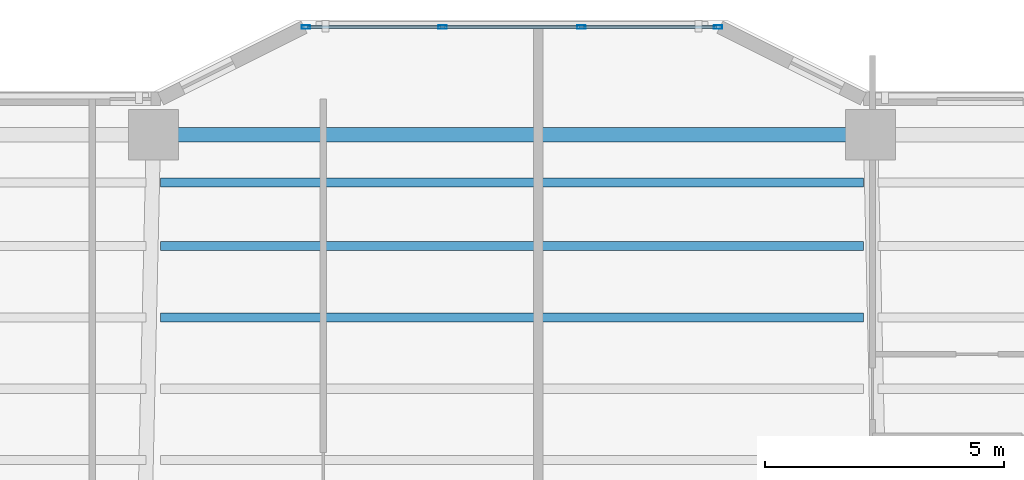
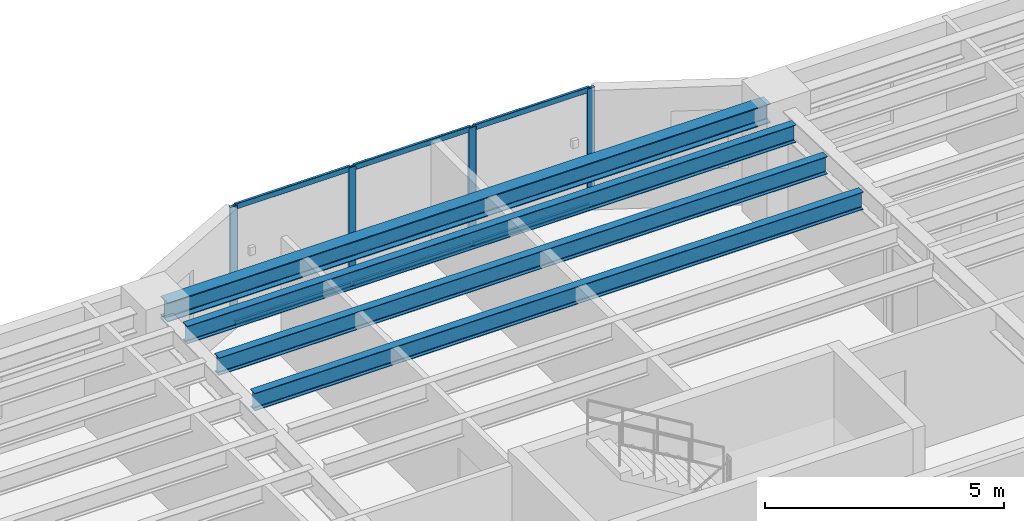
# One storey, part 4 of 18: 10 members, 4 beams, 1 element without a shape of its own.
"""IFC4 building model written with IfcOpenShell, lengths in metres."""

from ifc_helpers import new_model, si_unit, direction, frame, origin, origin_2d, place, context, subcontext, project, spatial, hollow_rectangle, i_section, extrude, material, layer, layer_set, material_profile, profile_set, type_object, element, aggregate, save


model = new_model("IFC4")

# Units and contexts
model_context = context("Model", 3, precision=1e-05, world=origin(), true_north=direction((0.0, 1.0)))
body_context = subcontext(model_context, "Body", "Model", "MODEL_VIEW")
ifc_project = project(units=[si_unit("LENGTHUNIT", "METRE"), si_unit("AREAUNIT", "SQUARE_METRE"), si_unit("VOLUMEUNIT", "CUBIC_METRE"), si_unit("PLANEANGLEUNIT", "RADIAN"), si_unit("MASSUNIT", "GRAM", prefix="KILO")], contexts=[model_context])

# Site, building, storey
site_placement = place(None, origin())
site = spatial("IfcSite", under=ifc_project, at=site_placement, CompositionType="ELEMENT")
building_placement = place(site_placement, origin())
building = spatial("IfcBuilding", under=site, at=building_placement, Name="Tarnavaz Court Tower", CompositionType="ELEMENT")
storey_placement = place(building_placement, frame((0.0, 0.0, 115.14990234375)))
storey = spatial("IfcBuildingStorey", under=building, at=storey_placement, Name="L31", CompositionType="ELEMENT", Elevation=115.14990234375)

# Beams
ifc_material_1 = material(Name="Steel S355", Category="steel")
ifc_material_profile_1 = material_profile(ifc_material_1, i_section(OverallWidth=0.18994140625, OverallDepth=0.449951171875, WebThickness=0.009521484375, FlangeThickness=0.0146484375, FilletRadius=0.02099609375, at=origin_2d()), Name="IPE 450")
ifc_profile_set_1 = profile_set([ifc_material_profile_1], Name="Steel S355")
beam_type_1 = type_object("IfcBeamType", Name="BM-J-IPE450", PredefinedType="JOIST", material=ifc_profile_set_1)
for number, where, z_axis, x_axis, name in (
    (1, (-7.35009765625, 17.48193359375, 2.8251953125), (1.0, 0.0, 0.0), (0.0, 1.0, 0.0), "L31 Beam JN3-2"),
    (2, (-7.35009765625, 18.97607421875, 2.8251953125), (1.0, 0.0, 0.0), (0.0, 1.0, 0.0), "L31 Beam JN4-2"),
    (3, (-7.35009765625, 20.303955078125, 2.8251953125), (1.0, 0.0, 0.0), (0.0, 1.0, 0.0), "L31 Beam JN5-2"),
):
    element("IfcBeam", number, at=place(storey_placement, frame(where, z_axis=z_axis, x_axis=x_axis)), inside=storey, type_object=beam_type_1, Name=name, PredefinedType="JOIST", context=body_context, shape_type="SweptSolid", body=[
        extrude(i_section(OverallWidth=0.18994140625, OverallDepth=0.449951171875, WebThickness=0.009521484375, FlangeThickness=0.0146484375, FilletRadius=0.02099609375, at=origin_2d()), origin(), (0.0, 0.0, 1.0), 14.7001953125),
    ])
ifc_material_profile_2 = material_profile(ifc_material_1, i_section(OverallWidth=0.300048828125, OverallDepth=0.489990234375, WebThickness=0.011962890625, FlangeThickness=0.02294921875, FilletRadius=0.027099609375, at=origin_2d()), Name="HEA 500")
ifc_profile_set_2 = profile_set([ifc_material_profile_2], Name="Steel S355")
beam_type_2 = type_object("IfcBeamType", Name="BM-SP-HEA500", PredefinedType="SPANDREL", material=ifc_profile_set_2)
beam_placement = place(storey_placement, frame((-7.280029296875, 21.300048828125, 2.80517578125), z_axis=(1.0, 0.0, 0.0), x_axis=(0.0, 1.0, 0.0)))
element("IfcBeam", 4, at=beam_placement, inside=storey, type_object=beam_type_2, Name="L31 Beam PR-PN-2-PN-3", PredefinedType="SPANDREL", context=body_context, shape_type="SweptSolid", body=[
    extrude(i_section(OverallWidth=0.300048828125, OverallDepth=0.489990234375, WebThickness=0.011962890625, FlangeThickness=0.02294921875, FilletRadius=0.027099609375, at=origin_2d()), origin(), (0.0, 0.0, 1.0), 14.56005859375),
])

# Curtain wall, members
ifc_material_2 = material(Name="Anodised Aluminium 6063-T6 and Solar Low-E Glazing", Category="aluminium")
ifc_layer = layer(ifc_material_2, 0.179931640625)
ifc_layer_set = layer_set([ifc_layer], Name="Anodised Aluminium 6063-T6 and Solar Low-E Glazing")
curtain_wall_type = type_object("IfcCurtainWallType", Name="CW-SYS-02", PredefinedType="NOTDEFINED", material=ifc_layer_set)
curtain_wall_placement = place(storey_placement, origin())
curtain_wall = element("IfcCurtainWall", 5, at=curtain_wall_placement, inside=storey, type_object=curtain_wall_type, Name="L31 Iwan Prow Curtain Wall 7", PredefinedType="NOTDEFINED")
ifc_material_3 = material(Name="Anodised Aluminium 6063-T6", Category="aluminium")
ifc_material_profile_3 = material_profile(ifc_material_3, hollow_rectangle(XDim=0.074951171875, YDim=0.179931640625, WallThickness=0.0048828125, InnerFilletRadius=0.0048828125, OuterFilletRadius=0.010009765625, at=origin_2d()), Name="ALU RHS 180X75X5")
ifc_profile_set_3 = profile_set([ifc_material_profile_3], Name="Anodised Aluminium 6063-T6")
member_type_1 = type_object("IfcMemberType", Name="CW-MUL-180", PredefinedType="MULLION", material=ifc_profile_set_3)
member_1_placement = place(storey_placement, frame((-4.3125, 23.550048828125, 0.0), z_axis=(0.0, 0.0, 1.0), x_axis=(0.0, 1.0, 0.0)))
member_1 = element("IfcMember", 6, at=member_1_placement, type_object=member_type_1, Name="CW mullion 1", PredefinedType="MULLION", context=body_context, shape_type="SweptSolid", body=[
    extrude(hollow_rectangle(XDim=0.074951171875, YDim=0.179931640625, WallThickness=0.0048828125, InnerFilletRadius=0.0048828125, OuterFilletRadius=0.010009765625, at=origin_2d()), origin(), (0.0, 0.0, 1.0), 3.050048828125),
])
member_2_placement = place(storey_placement, frame((-1.449951171875, 23.550048828125, 0.0), z_axis=(0.0, 0.0, 1.0), x_axis=(0.0, 1.0, 0.0)))
member_2 = element("IfcMember", 7, at=member_2_placement, type_object=member_type_1, Name="CW mullion 2", PredefinedType="MULLION", context=body_context, shape_type="SweptSolid", body=[
    extrude(hollow_rectangle(XDim=0.074951171875, YDim=0.179931640625, WallThickness=0.0048828125, InnerFilletRadius=0.0048828125, OuterFilletRadius=0.010009765625, at=origin_2d()), origin(), (0.0, 0.0, 1.0), 3.050048828125),
])
member_3_placement = place(storey_placement, frame((1.449951171875, 23.550048828125, 0.0), z_axis=(0.0, 0.0, 1.0), x_axis=(0.0, 1.0, 0.0)))
member_3 = element("IfcMember", 8, at=member_3_placement, type_object=member_type_1, Name="CW mullion 3", PredefinedType="MULLION", context=body_context, shape_type="SweptSolid", body=[
    extrude(hollow_rectangle(XDim=0.074951171875, YDim=0.179931640625, WallThickness=0.0048828125, InnerFilletRadius=0.0048828125, OuterFilletRadius=0.010009765625, at=origin_2d()), origin(), (0.0, 0.0, 1.0), 3.050048828125),
])
member_4_placement = place(storey_placement, frame((4.3125, 23.550048828125, 0.0), z_axis=(0.0, 0.0, 1.0), x_axis=(0.0, 1.0, 0.0)))
member_4 = element("IfcMember", 9, at=member_4_placement, type_object=member_type_1, Name="CW mullion 4", PredefinedType="MULLION", context=body_context, shape_type="SweptSolid", body=[
    extrude(hollow_rectangle(XDim=0.074951171875, YDim=0.179931640625, WallThickness=0.0048828125, InnerFilletRadius=0.0048828125, OuterFilletRadius=0.010009765625, at=origin_2d()), origin(), (0.0, 0.0, 1.0), 3.050048828125),
])
ifc_material_profile_4 = material_profile(ifc_material_3, hollow_rectangle(XDim=0.06494140625, YDim=0.139892578125, WallThickness=0.00390625, InnerFilletRadius=0.00390625, OuterFilletRadius=0.008056640625, at=origin_2d()), Name="ALU RHS 140X65X4")
ifc_profile_set_4 = profile_set([ifc_material_profile_4], Name="Anodised Aluminium 6063-T6")
member_type_2 = type_object("IfcMemberType", Name="CW-TRN-140", PredefinedType="USERDEFINED", material=ifc_profile_set_4)
member_5_placement = place(storey_placement, frame((-4.27490234375, 23.550048828125, 0.03271484375), z_axis=(1.0, 0.0, 0.0), x_axis=(0.0, 1.0, 0.0)))
member_5 = element("IfcMember", 10, at=member_5_placement, type_object=member_type_2, Name="CW transom 1.1", ObjectType="TRANSOM", PredefinedType="USERDEFINED", context=body_context, shape_type="SweptSolid", body=[
    extrude(hollow_rectangle(XDim=0.06494140625, YDim=0.139892578125, WallThickness=0.00390625, InnerFilletRadius=0.00390625, OuterFilletRadius=0.008056640625, at=origin_2d()), origin(), (0.0, 0.0, 1.0), 2.787353515625),
])
member_6_placement = place(storey_placement, frame((-4.27490234375, 23.550048828125, 3.017578125), z_axis=(1.0, 0.0, 0.0), x_axis=(0.0, 1.0, 0.0)))
member_6 = element("IfcMember", 11, at=member_6_placement, type_object=member_type_2, Name="CW transom 1.2", ObjectType="TRANSOM", PredefinedType="USERDEFINED", context=body_context, shape_type="SweptSolid", body=[
    extrude(hollow_rectangle(XDim=0.06494140625, YDim=0.139892578125, WallThickness=0.00390625, InnerFilletRadius=0.00390625, OuterFilletRadius=0.008056640625, at=origin_2d()), origin(), (0.0, 0.0, 1.0), 2.787353515625),
])
member_7_placement = place(storey_placement, frame((-1.41259765625, 23.550048828125, 0.03271484375), z_axis=(1.0, 0.0, 0.0), x_axis=(0.0, 1.0, 0.0)))
member_7 = element("IfcMember", 12, at=member_7_placement, type_object=member_type_2, Name="CW transom 2.1", ObjectType="TRANSOM", PredefinedType="USERDEFINED", context=body_context, shape_type="SweptSolid", body=[
    extrude(hollow_rectangle(XDim=0.06494140625, YDim=0.139892578125, WallThickness=0.00390625, InnerFilletRadius=0.00390625, OuterFilletRadius=0.008056640625, at=origin_2d()), origin(), (0.0, 0.0, 1.0), 2.8251953125),
])
member_8_placement = place(storey_placement, frame((-1.41259765625, 23.550048828125, 3.017578125), z_axis=(1.0, 0.0, 0.0), x_axis=(0.0, 1.0, 0.0)))
member_8 = element("IfcMember", 13, at=member_8_placement, type_object=member_type_2, Name="CW transom 2.2", ObjectType="TRANSOM", PredefinedType="USERDEFINED", context=body_context, shape_type="SweptSolid", body=[
    extrude(hollow_rectangle(XDim=0.06494140625, YDim=0.139892578125, WallThickness=0.00390625, InnerFilletRadius=0.00390625, OuterFilletRadius=0.008056640625, at=origin_2d()), origin(), (0.0, 0.0, 1.0), 2.8251953125),
])
member_9_placement = place(storey_placement, frame((1.487548828125, 23.550048828125, 0.03271484375), z_axis=(1.0, 0.0, 0.0), x_axis=(0.0, 1.0, 0.0)))
member_9 = element("IfcMember", 14, at=member_9_placement, type_object=member_type_2, Name="CW transom 3.1", ObjectType="TRANSOM", PredefinedType="USERDEFINED", context=body_context, shape_type="SweptSolid", body=[
    extrude(hollow_rectangle(XDim=0.06494140625, YDim=0.139892578125, WallThickness=0.00390625, InnerFilletRadius=0.00390625, OuterFilletRadius=0.008056640625, at=origin_2d()), origin(), (0.0, 0.0, 1.0), 2.787353515625),
])
member_10_placement = place(storey_placement, frame((1.487548828125, 23.550048828125, 3.017578125), z_axis=(1.0, 0.0, 0.0), x_axis=(0.0, 1.0, 0.0)))
member_10 = element("IfcMember", 15, at=member_10_placement, type_object=member_type_2, Name="CW transom 3.2", ObjectType="TRANSOM", PredefinedType="USERDEFINED", context=body_context, shape_type="SweptSolid", body=[
    extrude(hollow_rectangle(XDim=0.06494140625, YDim=0.139892578125, WallThickness=0.00390625, InnerFilletRadius=0.00390625, OuterFilletRadius=0.008056640625, at=origin_2d()), origin(), (0.0, 0.0, 1.0), 2.787353515625),
])
aggregate(curtain_wall, [member_1, member_2, member_3, member_4, member_5, member_6, member_7, member_8, member_9, member_10])

save(model, "model.ifc")
